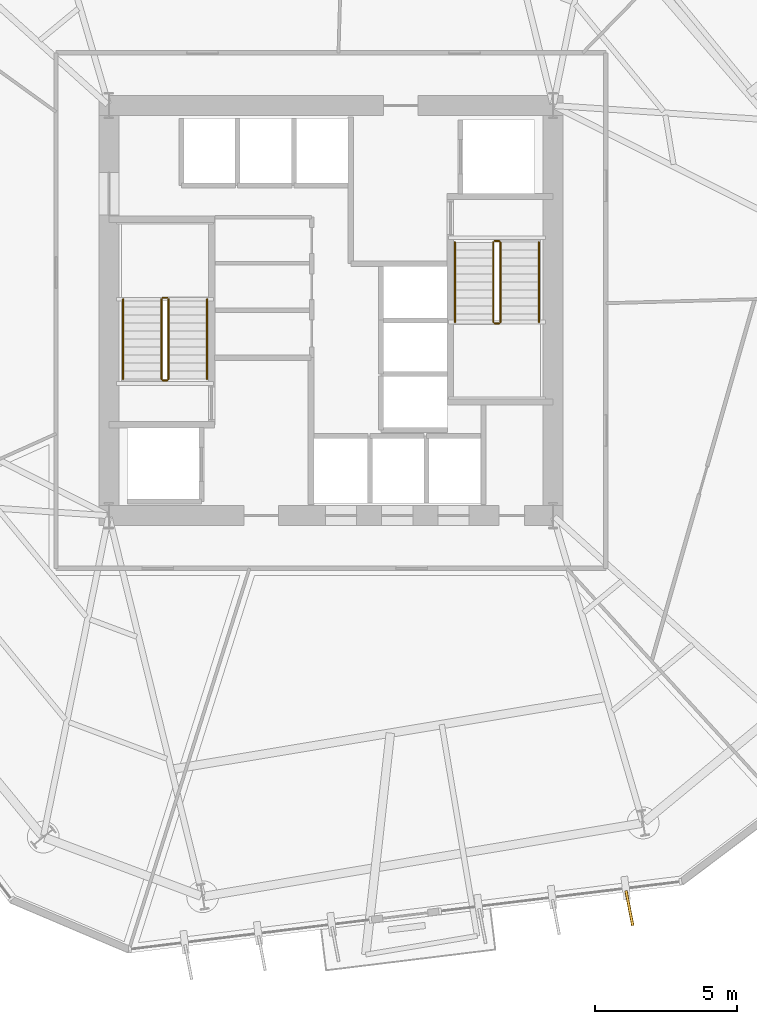
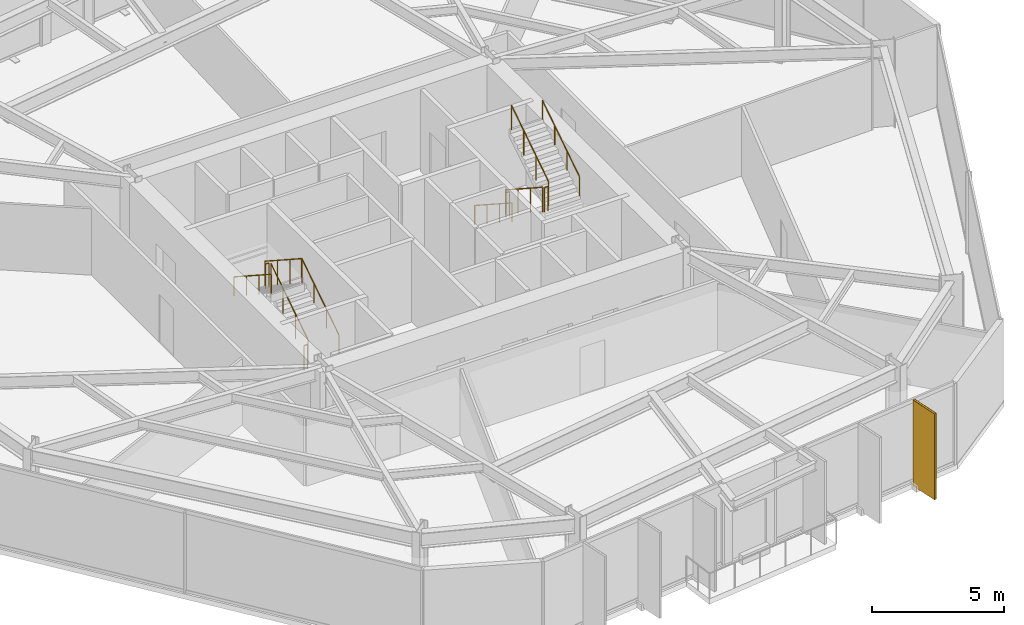
# One storey, part 10 of 11: 12 railings, 1 covering, 1 shading device.
"""IFC4 building model written with IfcOpenShell, lengths in metres."""

from ifc_helpers import new_model, si_unit, direction, frame, origin, origin_2d, place, context, subcontext, project, spatial, rectangle, circle, extrude, material, layer, layer_set, type_object, element, save


model = new_model("IFC4")

# Units and contexts
model_context = context("Model", 3, precision=1e-05, world=origin(), true_north=direction((0.0, 1.0)))
body_context = subcontext(model_context, "Body", "Model", "MODEL_VIEW")
ifc_project = project(units=[si_unit("LENGTHUNIT", "METRE"), si_unit("AREAUNIT", "SQUARE_METRE"), si_unit("VOLUMEUNIT", "CUBIC_METRE"), si_unit("PLANEANGLEUNIT", "RADIAN"), si_unit("MASSUNIT", "GRAM", prefix="KILO")], contexts=[model_context])

# Site, building, storey
site_placement = place(None, origin())
site = spatial("IfcSite", under=ifc_project, at=site_placement, CompositionType="ELEMENT")
building_placement = place(site_placement, origin())
building = spatial("IfcBuilding", under=site, at=building_placement, Name="Kranzbogen Civic Tower", CompositionType="ELEMENT")
storey_placement = place(building_placement, frame((0.0, 0.0, 48.0)))
storey = spatial("IfcBuildingStorey", under=building, at=storey_placement, Name="L11", CompositionType="ELEMENT", Elevation=48.0)

# Covering
ifc_material_1 = material(Name="Pale Anodised Aluminium", Category="aluminium")
ifc_layer = layer(ifc_material_1, 0.02490234375, Name="Pale Anodised Aluminium")
ifc_layer_set = layer_set([ifc_layer], Name="Pale Anodised Aluminium")
covering_type = type_object("IfcCoveringType", Name="Anodised Aluminium Vertical Fin Cladding 25 mm", PredefinedType="CLADDING", material=ifc_layer_set)
covering_placement = place(storey_placement, frame((35.47705078125, 4.02197265625, -0.139892578125), z_axis=(0.0, 0.0, 1.0), x_axis=(0.189866613158, -0.981809894637, 0.0)))
element("IfcCovering", 1, at=covering_placement, inside=storey, type_object=covering_type, Name="L11 vertical fin pale-metal cladding F5-7", PredefinedType="CLADDING", context=body_context, shape_type="SweptSolid", body=[
    extrude(rectangle(XDim=1.25, YDim=0.10009765625, at=origin_2d()), origin(), (0.0, 0.0, 1.0), 3.9599609375),
])

# Shading device
ifc_material_2 = material(Name="Anodised Bronze Aluminium", Category="aluminium")
shading_device_type = type_object("IfcShadingDeviceType", Name="Anodised Bronze Vertical Facade Fin 1250x80", PredefinedType="USERDEFINED", material=ifc_material_2)
shading_device_placement = place(storey_placement, frame((35.47705078125, 4.02197265625, -0.139892578125), z_axis=(0.0, 0.0, 1.0), x_axis=(0.189866613158, -0.981809894637, 0.0)))
element("IfcShadingDevice", 2, at=shading_device_placement, inside=storey, type_object=shading_device_type, Name="L11 vertical exterior shading fin F5-7", ObjectType="FIN", PredefinedType="USERDEFINED", context=body_context, shape_type="SweptSolid", body=[
    extrude(rectangle(XDim=1.25, YDim=0.080078125, at=origin_2d()), origin(), (0.0, 0.0, 1.0), 3.9599609375),
])

# Railings
ifc_material_3 = material(Name="Steel S355", Category="steel")
railing_type_1 = type_object("IfcRailingType", Name="Internal Stair and Void Steel Guardrail 1150", PredefinedType="GUARDRAIL", material=ifc_material_3)
railing_1_placement = place(storey_placement, frame((19.300048828125, 22.60009765625, 0.181884765625)))
element("IfcRailing", 3, at=railing_1_placement, inside=storey, type_object=railing_type_1, Name="L11 ST-T1 stair guard 1", PredefinedType="GUARDRAIL", context=body_context, shape_type="SweptSolid", body=[
    extrude(circle(Radius=0.02392578125, at=origin_2d()), frame((0.0, 0.0, 1.1259765625), z_axis=(0.0, 0.83868413941, 0.544618136222), x_axis=(-1.0, 0.0, 0.0)), (0.0, 0.0, 1.0), 3.33837890625),
    extrude(circle(Radius=0.02099609375, at=origin_2d()), origin(), (0.0, 0.0, 1.0), 1.101806640625),
    extrude(circle(Radius=0.02099609375, at=origin_2d()), frame((0.0, 0.933349609375, 0.60595703125)), (0.0, 0.0, 1.0), 1.101806640625),
    extrude(circle(Radius=0.02099609375, at=origin_2d()), frame((0.0, 1.866455078125, 1.212158203125)), (0.0, 0.0, 1.0), 1.101806640625),
    extrude(circle(Radius=0.02099609375, at=origin_2d()), frame((0.0, 2.7998046875, 1.818115234375)), (0.0, 0.0, 1.0), 1.101806640625),
])
railing_2_placement = place(storey_placement, frame((19.25, 25.449951171875, 2.0)))
element("IfcRailing", 4, at=railing_2_placement, inside=storey, type_object=railing_type_1, Name="L11 ST-T1 stair guard 2", PredefinedType="GUARDRAIL", context=body_context, shape_type="SweptSolid", body=[
    extrude(circle(Radius=0.02392578125, at=origin_2d()), frame((0.0, 0.0, 1.1259765625), z_axis=(-1.0, 0.0, 0.0), x_axis=(0.0, -1.0, 0.0)), (0.0, 0.0, 1.0), 0.14990234375),
    extrude(circle(Radius=0.02099609375, at=origin_2d()), origin(), (0.0, 0.0, 1.0), 1.101806640625),
    extrude(circle(Radius=0.02099609375, at=origin_2d()), frame((-0.14990234375, 0.0, 0.0)), (0.0, 0.0, 1.0), 1.101806640625),
])
railing_3_placement = place(storey_placement, frame((19.050048828125, 25.39990234375, 2.181884765625)))
element("IfcRailing", 5, at=railing_3_placement, inside=storey, type_object=railing_type_1, Name="L11 ST-T1 stair guard 3", PredefinedType="GUARDRAIL", context=body_context, shape_type="SweptSolid", body=[
    extrude(circle(Radius=0.02392578125, at=origin_2d()), frame((0.0, 0.0, 1.1259765625), z_axis=(0.0, -0.83868413941, 0.544618136222), x_axis=(1.0, 0.0, 0.0)), (0.0, 0.0, 1.0), 3.33837890625),
    extrude(circle(Radius=0.02099609375, at=origin_2d()), origin(), (0.0, 0.0, 1.0), 1.101806640625),
    extrude(circle(Radius=0.02099609375, at=origin_2d()), frame((0.0, -0.933349609375, 0.60595703125)), (0.0, 0.0, 1.0), 1.101806640625),
    extrude(circle(Radius=0.02099609375, at=origin_2d()), frame((0.0, -1.866455078125, 1.212158203125)), (0.0, 0.0, 1.0), 1.101806640625),
    extrude(circle(Radius=0.02099609375, at=origin_2d()), frame((0.0, -2.7998046875, 1.818115234375)), (0.0, 0.0, 1.0), 1.101806640625),
])
railing_4_placement = place(storey_placement, frame((19.25, 22.550048828125, 0.0)))
element("IfcRailing", 6, at=railing_4_placement, inside=storey, type_object=railing_type_1, Name="L11 ST-T1 stair guard 4", PredefinedType="GUARDRAIL", context=body_context, shape_type="SweptSolid", body=[
    extrude(circle(Radius=0.02392578125, at=origin_2d()), frame((0.0, 0.0, 1.1259765625), z_axis=(-1.0, 0.0, 0.0), x_axis=(0.0, -1.0, 0.0)), (0.0, 0.0, 1.0), 0.14990234375),
    extrude(circle(Radius=0.02099609375, at=origin_2d()), origin(), (0.0, 0.0, 1.0), 1.101806640625),
    extrude(circle(Radius=0.02099609375, at=origin_2d()), frame((-0.14990234375, 0.0, 0.0)), (0.0, 0.0, 1.0), 1.101806640625),
])
railing_5_placement = place(storey_placement, frame((30.699951171875, 27.39990234375, 0.181884765625)))
element("IfcRailing", 7, at=railing_5_placement, inside=storey, type_object=railing_type_1, Name="L11 ST-T2 stair guard 1", PredefinedType="GUARDRAIL", context=body_context, shape_type="SweptSolid", body=[
    extrude(circle(Radius=0.02392578125, at=origin_2d()), frame((0.0, 0.0, 1.1259765625), z_axis=(0.0, -0.83868413941, 0.544618136222), x_axis=(1.0, 0.0, 0.0)), (0.0, 0.0, 1.0), 3.33837890625),
    extrude(circle(Radius=0.02099609375, at=origin_2d()), origin(), (0.0, 0.0, 1.0), 1.101806640625),
    extrude(circle(Radius=0.02099609375, at=origin_2d()), frame((0.0, -0.933349609375, 0.60595703125)), (0.0, 0.0, 1.0), 1.101806640625),
    extrude(circle(Radius=0.02099609375, at=origin_2d()), frame((0.0, -1.866455078125, 1.212158203125)), (0.0, 0.0, 1.0), 1.101806640625),
    extrude(circle(Radius=0.02099609375, at=origin_2d()), frame((0.0, -2.7998046875, 1.818115234375)), (0.0, 0.0, 1.0), 1.101806640625),
])
railing_6_placement = place(storey_placement, frame((30.75, 24.550048828125, 2.0)))
element("IfcRailing", 8, at=railing_6_placement, inside=storey, type_object=railing_type_1, Name="L11 ST-T2 stair guard 2", PredefinedType="GUARDRAIL", context=body_context, shape_type="SweptSolid", body=[
    extrude(circle(Radius=0.02392578125, at=origin_2d()), frame((0.0, 0.0, 1.1259765625), z_axis=(1.0, 0.0, 0.0), x_axis=(0.0, 1.0, 0.0)), (0.0, 0.0, 1.0), 0.14990234375),
    extrude(circle(Radius=0.02099609375, at=origin_2d()), origin(), (0.0, 0.0, 1.0), 1.101806640625),
    extrude(circle(Radius=0.02099609375, at=origin_2d()), frame((0.14990234375, 0.0, 0.0)), (0.0, 0.0, 1.0), 1.101806640625),
])
railing_7_placement = place(storey_placement, frame((30.949951171875, 24.60009765625, 2.181884765625)))
element("IfcRailing", 9, at=railing_7_placement, inside=storey, type_object=railing_type_1, Name="L11 ST-T2 stair guard 3", PredefinedType="GUARDRAIL", context=body_context, shape_type="SweptSolid", body=[
    extrude(circle(Radius=0.02392578125, at=origin_2d()), frame((0.0, 0.0, 1.1259765625), z_axis=(0.0, 0.83868413941, 0.544618136222), x_axis=(-1.0, 0.0, 0.0)), (0.0, 0.0, 1.0), 3.33837890625),
    extrude(circle(Radius=0.02099609375, at=origin_2d()), origin(), (0.0, 0.0, 1.0), 1.101806640625),
    extrude(circle(Radius=0.02099609375, at=origin_2d()), frame((0.0, 0.933349609375, 0.60595703125)), (0.0, 0.0, 1.0), 1.101806640625),
    extrude(circle(Radius=0.02099609375, at=origin_2d()), frame((0.0, 1.866455078125, 1.212158203125)), (0.0, 0.0, 1.0), 1.101806640625),
    extrude(circle(Radius=0.02099609375, at=origin_2d()), frame((0.0, 2.7998046875, 1.818115234375)), (0.0, 0.0, 1.0), 1.101806640625),
])
railing_8_placement = place(storey_placement, frame((30.75, 27.449951171875, 0.0)))
element("IfcRailing", 10, at=railing_8_placement, inside=storey, type_object=railing_type_1, Name="L11 ST-T2 stair guard 4", PredefinedType="GUARDRAIL", context=body_context, shape_type="SweptSolid", body=[
    extrude(circle(Radius=0.02392578125, at=origin_2d()), frame((0.0, 0.0, 1.1259765625), z_axis=(1.0, 0.0, 0.0), x_axis=(0.0, 1.0, 0.0)), (0.0, 0.0, 1.0), 0.14990234375),
    extrude(circle(Radius=0.02099609375, at=origin_2d()), origin(), (0.0, 0.0, 1.0), 1.101806640625),
    extrude(circle(Radius=0.02099609375, at=origin_2d()), frame((0.14990234375, 0.0, 0.0)), (0.0, 0.0, 1.0), 1.101806640625),
])
railing_type_2 = type_object("IfcRailingType", Name="Tubular Stainless Stair Wall Handrail 900", PredefinedType="HANDRAIL", material=ifc_material_1)
railing_9_placement = place(storey_placement, frame((20.64990234375, 22.60009765625, 0.181884765625)))
element("IfcRailing", 11, at=railing_9_placement, inside=storey, type_object=railing_type_2, Name="L11 ST-T1 stair handrail 1", PredefinedType="HANDRAIL", context=body_context, shape_type="SweptSolid", body=[
    extrude(circle(Radius=0.02392578125, at=origin_2d()), frame((0.0, 0.0, 0.8759765625), z_axis=(0.0, 0.83868413941, 0.544618136222), x_axis=(-1.0, 0.0, 0.0)), (0.0, 0.0, 1.0), 3.33837890625),
    extrude(circle(Radius=0.02099609375, at=origin_2d()), origin(), (0.0, 0.0, 1.0), 0.851806640625),
    extrude(circle(Radius=0.02099609375, at=origin_2d()), frame((0.0, 0.933349609375, 0.60595703125)), (0.0, 0.0, 1.0), 0.851806640625),
    extrude(circle(Radius=0.02099609375, at=origin_2d()), frame((0.0, 1.866455078125, 1.212158203125)), (0.0, 0.0, 1.0), 0.851806640625),
    extrude(circle(Radius=0.02099609375, at=origin_2d()), frame((0.0, 2.7998046875, 1.818115234375)), (0.0, 0.0, 1.0), 0.851806640625),
])
for number, where, name in (
    (12, (17.699951171875, 25.39990234375, 2.181884765625), "L11 ST-T1 stair handrail 2"),
    (13, (29.35009765625, 27.39990234375, 0.181884765625), "L11 ST-T2 stair handrail 1"),
):
    element("IfcRailing", number, at=place(storey_placement, frame(where)), inside=storey, type_object=railing_type_2, Name=name, PredefinedType="HANDRAIL", context=body_context, shape_type="SweptSolid", body=[
        extrude(circle(Radius=0.02392578125, at=origin_2d()), frame((0.0, 0.0, 0.8759765625), z_axis=(0.0, -0.83868413941, 0.544618136222), x_axis=(1.0, 0.0, 0.0)), (0.0, 0.0, 1.0), 3.33837890625),
        extrude(circle(Radius=0.02099609375, at=origin_2d()), origin(), (0.0, 0.0, 1.0), 0.851806640625),
        extrude(circle(Radius=0.02099609375, at=origin_2d()), frame((0.0, -0.933349609375, 0.60595703125)), (0.0, 0.0, 1.0), 0.851806640625),
        extrude(circle(Radius=0.02099609375, at=origin_2d()), frame((0.0, -1.866455078125, 1.212158203125)), (0.0, 0.0, 1.0), 0.851806640625),
        extrude(circle(Radius=0.02099609375, at=origin_2d()), frame((0.0, -2.7998046875, 1.818115234375)), (0.0, 0.0, 1.0), 0.851806640625),
    ])
railing_10_placement = place(storey_placement, frame((32.300048828125, 24.60009765625, 2.181884765625)))
element("IfcRailing", 14, at=railing_10_placement, inside=storey, type_object=railing_type_2, Name="L11 ST-T2 stair handrail 2", PredefinedType="HANDRAIL", context=body_context, shape_type="SweptSolid", body=[
    extrude(circle(Radius=0.02392578125, at=origin_2d()), frame((0.0, 0.0, 0.8759765625), z_axis=(0.0, 0.83868413941, 0.544618136222), x_axis=(-1.0, 0.0, 0.0)), (0.0, 0.0, 1.0), 3.33837890625),
    extrude(circle(Radius=0.02099609375, at=origin_2d()), origin(), (0.0, 0.0, 1.0), 0.851806640625),
    extrude(circle(Radius=0.02099609375, at=origin_2d()), frame((0.0, 0.933349609375, 0.60595703125)), (0.0, 0.0, 1.0), 0.851806640625),
    extrude(circle(Radius=0.02099609375, at=origin_2d()), frame((0.0, 1.866455078125, 1.212158203125)), (0.0, 0.0, 1.0), 0.851806640625),
    extrude(circle(Radius=0.02099609375, at=origin_2d()), frame((0.0, 2.7998046875, 1.818115234375)), (0.0, 0.0, 1.0), 0.851806640625),
])

save(model, "model.ifc")
